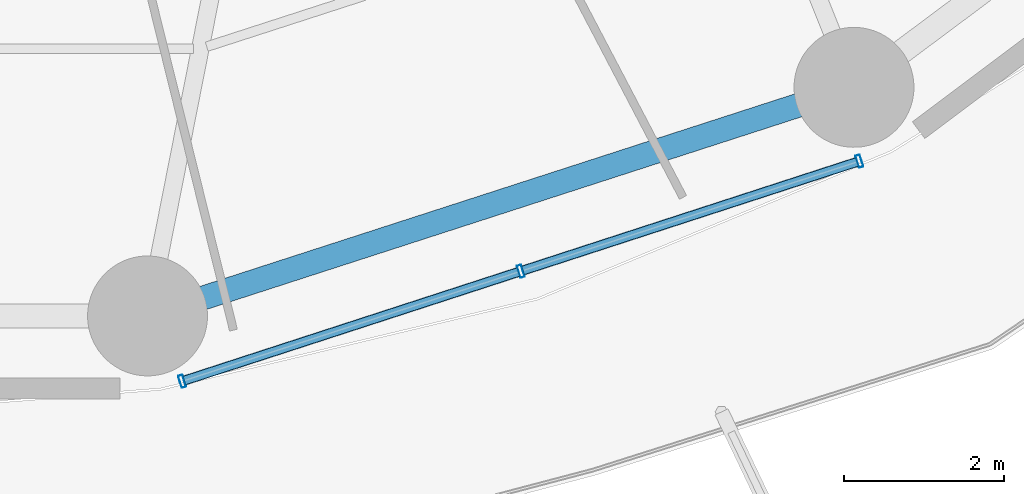
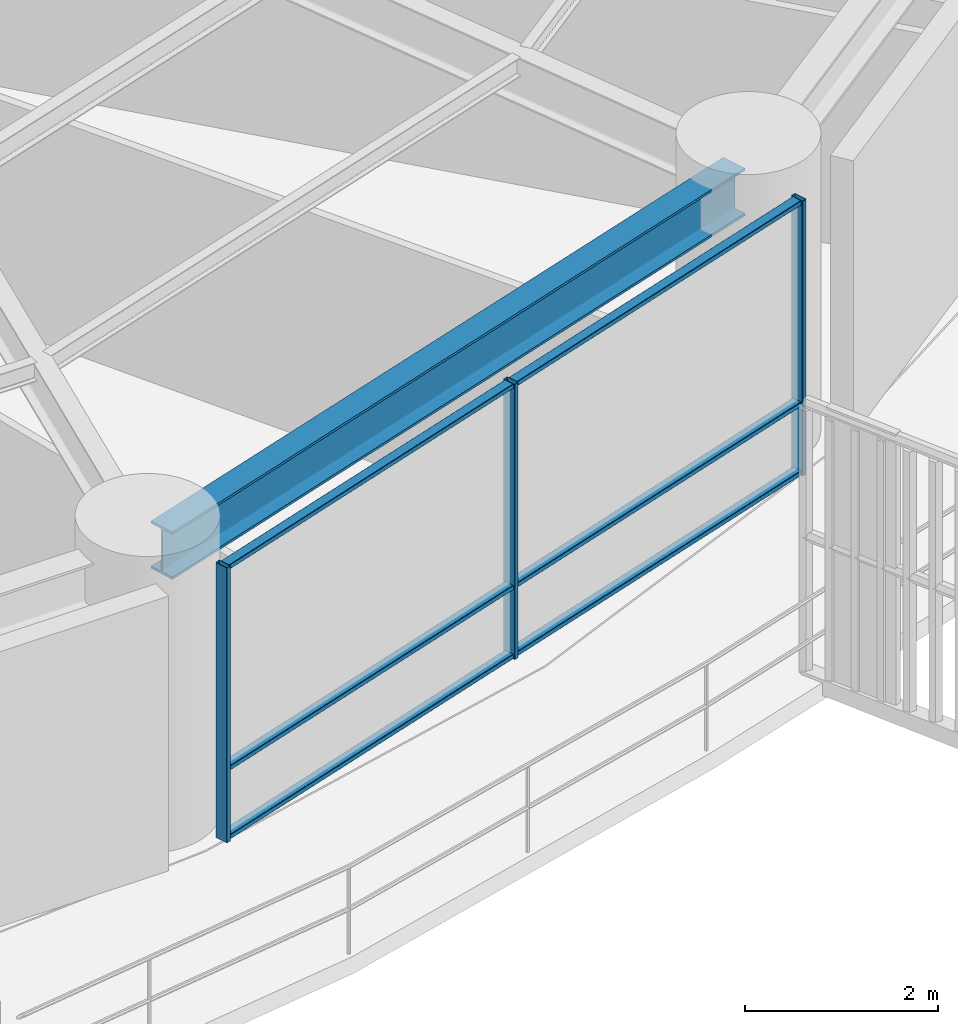
# One storey, part 8 of 34: 9 members, 1 beam, 1 element without a shape of its own.
"""IFC4 building model written with IfcOpenShell, lengths in metres."""

from ifc_helpers import new_model, si_unit, direction, frame, origin, origin_2d, place, context, subcontext, project, spatial, hollow_rectangle, i_section, extrude, material, layer, layer_set, material_profile, profile_set, type_object, element, aggregate, save


model = new_model("IFC4")

# Units and contexts
model_context = context("Model", 3, precision=1e-05, world=origin(), true_north=direction((0.0, 1.0)))
body_context = subcontext(model_context, "Body", "Model", "MODEL_VIEW")
ifc_project = project(units=[si_unit("LENGTHUNIT", "METRE"), si_unit("AREAUNIT", "SQUARE_METRE"), si_unit("VOLUMEUNIT", "CUBIC_METRE"), si_unit("PLANEANGLEUNIT", "RADIAN"), si_unit("MASSUNIT", "GRAM", prefix="KILO")], contexts=[model_context])

# Site, building, storey
site_placement = place(None, origin())
site = spatial("IfcSite", under=ifc_project, at=site_placement, CompositionType="ELEMENT")
building_placement = place(site_placement, origin())
building = spatial("IfcBuilding", under=site, at=building_placement, Name="Kelanora Arch Commons", CompositionType="ELEMENT")
storey_placement = place(building_placement, frame((0.0, 0.0, 30.0)))
storey = spatial("IfcBuildingStorey", under=building, at=storey_placement, Name="L07", CompositionType="ELEMENT", Elevation=30.0)

# Beam
ifc_material_1 = material(Name="Steel S355", Category="steel")
ifc_material_profile_1 = material_profile(ifc_material_1, i_section(OverallWidth=0.300048828125, OverallDepth=0.60009765625, WebThickness=0.015380859375, FlangeThickness=0.030029296875, FilletRadius=0.027099609375, at=origin_2d()), Name="HEB600")
ifc_profile_set_1 = profile_set([ifc_material_profile_1], Name="Steel S355")
beam_type = type_object("IfcBeamType", Name="BM-SPN-Z1", PredefinedType="SPANDREL", material=ifc_profile_set_1)
beam_placement = place(storey_placement, frame((78.91162109375, 34.353515625, 3.18994140625), z_axis=(0.951411479564, 0.307922387224, 0.0), x_axis=(-0.307922387224, 0.951411479564, 0.0)))
element("IfcBeam", 1, at=beam_placement, inside=storey, type_object=beam_type, Name="Perimeter Spandrel Beam BS-28 L07", PredefinedType="SPANDREL", context=body_context, shape_type="SweptSolid", body=[
    extrude(i_section(OverallWidth=0.300048828125, OverallDepth=0.60009765625, WebThickness=0.015380859375, FlangeThickness=0.030029296875, FilletRadius=0.027099609375, at=origin_2d()), origin(), (0.0, 0.0, 1.0), 8.84912109375),
])

# Curtain wall, members
ifc_material_2 = material(Name="Terracotta ceramic-fritted low-E glass and aluminium", Category="masonry")
ifc_layer = layer(ifc_material_2, 0.159912109375)
ifc_layer_set = layer_set([ifc_layer], Name="Terracotta ceramic-fritted low-E glass and aluminium")
curtain_wall_type = type_object("IfcCurtainWallType", Name="CW-SYS-01", PredefinedType="NOTDEFINED", material=ifc_layer_set)
curtain_wall_placement = place(storey_placement, origin())
curtain_wall = element("IfcCurtainWall", 2, at=curtain_wall_placement, inside=storey, type_object=curtain_wall_type, Name="Unitised Curtain Wall L07-B14", PredefinedType="NOTDEFINED")
ifc_material_3 = material(Name="Powder-coated aluminium terracotta", Category="masonry")
ifc_material_profile_2 = material_profile(ifc_material_3, hollow_rectangle(XDim=0.159912109375, YDim=0.06005859375, WallThickness=0.0048828125, InnerFilletRadius=0.0048828125, OuterFilletRadius=0.010009765625, at=origin_2d()), Name="CWM160x60")
ifc_profile_set_2 = profile_set([ifc_material_profile_2], Name="Powder-coated aluminium terracotta")
member_type_1 = type_object("IfcMemberType", Name="CWM-STD", PredefinedType="MULLION", material=ifc_profile_set_2)
member_1_placement = place(storey_placement, frame((79.134521484375, 33.46826171875, 0.0), z_axis=(0.0, 0.0, 1.0), x_axis=(-0.30905758454, 0.951043326793, 0.0)))
member_1 = element("IfcMember", 3, at=member_1_placement, type_object=member_type_1, Name="CW-01 mullion 1", PredefinedType="MULLION", context=body_context, shape_type="SweptSolid", body=[
    extrude(hollow_rectangle(XDim=0.159912109375, YDim=0.06005859375, WallThickness=0.0048828125, InnerFilletRadius=0.0048828125, OuterFilletRadius=0.010009765625, at=origin_2d()), origin(), (0.0, 0.0, 1.0), 3.47509765625),
])
member_2_placement = place(storey_placement, frame((83.37109375, 34.84521484375, 0.0), z_axis=(0.0, 0.0, 1.0), x_axis=(-0.30905758454, 0.951043326793, 0.0)))
member_2 = element("IfcMember", 4, at=member_2_placement, type_object=member_type_1, Name="CW-01 mullion 2", PredefinedType="MULLION", context=body_context, shape_type="SweptSolid", body=[
    extrude(hollow_rectangle(XDim=0.159912109375, YDim=0.06005859375, WallThickness=0.0048828125, InnerFilletRadius=0.0048828125, OuterFilletRadius=0.010009765625, at=origin_2d()), origin(), (0.0, 0.0, 1.0), 3.47509765625),
])
member_3_placement = place(storey_placement, frame((87.607666015625, 36.221923828125, 0.0), z_axis=(0.0, 0.0, 1.0), x_axis=(-0.30905758454, 0.951043326793, 0.0)))
member_3 = element("IfcMember", 5, at=member_3_placement, type_object=member_type_1, Name="CW-01 mullion 3", PredefinedType="MULLION", context=body_context, shape_type="SweptSolid", body=[
    extrude(hollow_rectangle(XDim=0.159912109375, YDim=0.06005859375, WallThickness=0.0048828125, InnerFilletRadius=0.0048828125, OuterFilletRadius=0.010009765625, at=origin_2d()), origin(), (0.0, 0.0, 1.0), 3.47509765625),
])
ifc_material_profile_3 = material_profile(ifc_material_3, hollow_rectangle(XDim=0.1201171875, YDim=0.06005859375, WallThickness=0.0048828125, InnerFilletRadius=0.0048828125, OuterFilletRadius=0.010009765625, at=origin_2d()), Name="CWT120x60")
ifc_profile_set_3 = profile_set([ifc_material_profile_3], Name="Powder-coated aluminium terracotta")
member_type_2 = type_object("IfcMemberType", Name="CWT-STD", PredefinedType="USERDEFINED", material=ifc_profile_set_3)
member_4_placement = place(storey_placement, frame((79.1630859375, 33.4775390625, 0.030029296875), z_axis=(0.951028761285, 0.309102402464, 0.0), x_axis=(-0.309102402464, 0.951028761285, 0.0)))
member_4 = element("IfcMember", 6, at=member_4_placement, type_object=member_type_2, Name="CW-01 transom 1.1", ObjectType="TRANSOM", PredefinedType="USERDEFINED", context=body_context, shape_type="SweptSolid", body=[
    extrude(hollow_rectangle(XDim=0.1201171875, YDim=0.06005859375, WallThickness=0.0048828125, InnerFilletRadius=0.0048828125, OuterFilletRadius=0.010009765625, at=origin_2d()), origin(), (0.0, 0.0, 1.0), 4.394775390625),
])
member_5_placement = place(storey_placement, frame((79.1630859375, 33.4775390625, 0.89990234375), z_axis=(0.951028761285, 0.309102402464, 0.0), x_axis=(-0.309102402464, 0.951028761285, 0.0)))
member_5 = element("IfcMember", 7, at=member_5_placement, type_object=member_type_2, Name="CW-01 transom 1.2", ObjectType="TRANSOM", PredefinedType="USERDEFINED", context=body_context, shape_type="SweptSolid", body=[
    extrude(hollow_rectangle(XDim=0.1201171875, YDim=0.06005859375, WallThickness=0.0048828125, InnerFilletRadius=0.0048828125, OuterFilletRadius=0.010009765625, at=origin_2d()), origin(), (0.0, 0.0, 1.0), 4.394775390625),
])
member_6_placement = place(storey_placement, frame((79.1630859375, 33.4775390625, 3.445068359375), z_axis=(0.951028761285, 0.309102402464, 0.0), x_axis=(-0.309102402464, 0.951028761285, 0.0)))
member_6 = element("IfcMember", 8, at=member_6_placement, type_object=member_type_2, Name="CW-01 transom 1.3", ObjectType="TRANSOM", PredefinedType="USERDEFINED", context=body_context, shape_type="SweptSolid", body=[
    extrude(hollow_rectangle(XDim=0.1201171875, YDim=0.06005859375, WallThickness=0.0048828125, InnerFilletRadius=0.0048828125, OuterFilletRadius=0.010009765625, at=origin_2d()), origin(), (0.0, 0.0, 1.0), 4.394775390625),
])
member_7_placement = place(storey_placement, frame((83.399658203125, 34.8544921875, 0.030029296875), z_axis=(0.951045091182, 0.309052155047, 0.0), x_axis=(-0.309052155047, 0.951045091182, 0.0)))
member_7 = element("IfcMember", 9, at=member_7_placement, type_object=member_type_2, Name="CW-01 transom 2.1", ObjectType="TRANSOM", PredefinedType="USERDEFINED", context=body_context, shape_type="SweptSolid", body=[
    extrude(hollow_rectangle(XDim=0.1201171875, YDim=0.06005859375, WallThickness=0.0048828125, InnerFilletRadius=0.0048828125, OuterFilletRadius=0.010009765625, at=origin_2d()), origin(), (0.0, 0.0, 1.0), 4.39453125),
])
member_8_placement = place(storey_placement, frame((83.399658203125, 34.8544921875, 0.89990234375), z_axis=(0.951045091182, 0.309052155047, 0.0), x_axis=(-0.309052155047, 0.951045091182, 0.0)))
member_8 = element("IfcMember", 10, at=member_8_placement, type_object=member_type_2, Name="CW-01 transom 2.2", ObjectType="TRANSOM", PredefinedType="USERDEFINED", context=body_context, shape_type="SweptSolid", body=[
    extrude(hollow_rectangle(XDim=0.1201171875, YDim=0.06005859375, WallThickness=0.0048828125, InnerFilletRadius=0.0048828125, OuterFilletRadius=0.010009765625, at=origin_2d()), origin(), (0.0, 0.0, 1.0), 4.39453125),
])
member_9_placement = place(storey_placement, frame((83.399658203125, 34.8544921875, 3.445068359375), z_axis=(0.951045091182, 0.309052155047, 0.0), x_axis=(-0.309052155047, 0.951045091182, 0.0)))
member_9 = element("IfcMember", 11, at=member_9_placement, type_object=member_type_2, Name="CW-01 transom 2.3", ObjectType="TRANSOM", PredefinedType="USERDEFINED", context=body_context, shape_type="SweptSolid", body=[
    extrude(hollow_rectangle(XDim=0.1201171875, YDim=0.06005859375, WallThickness=0.0048828125, InnerFilletRadius=0.0048828125, OuterFilletRadius=0.010009765625, at=origin_2d()), origin(), (0.0, 0.0, 1.0), 4.39453125),
])
aggregate(curtain_wall, [member_1, member_2, member_3, member_4, member_5, member_6, member_7, member_8, member_9])

save(model, "model.ifc")
